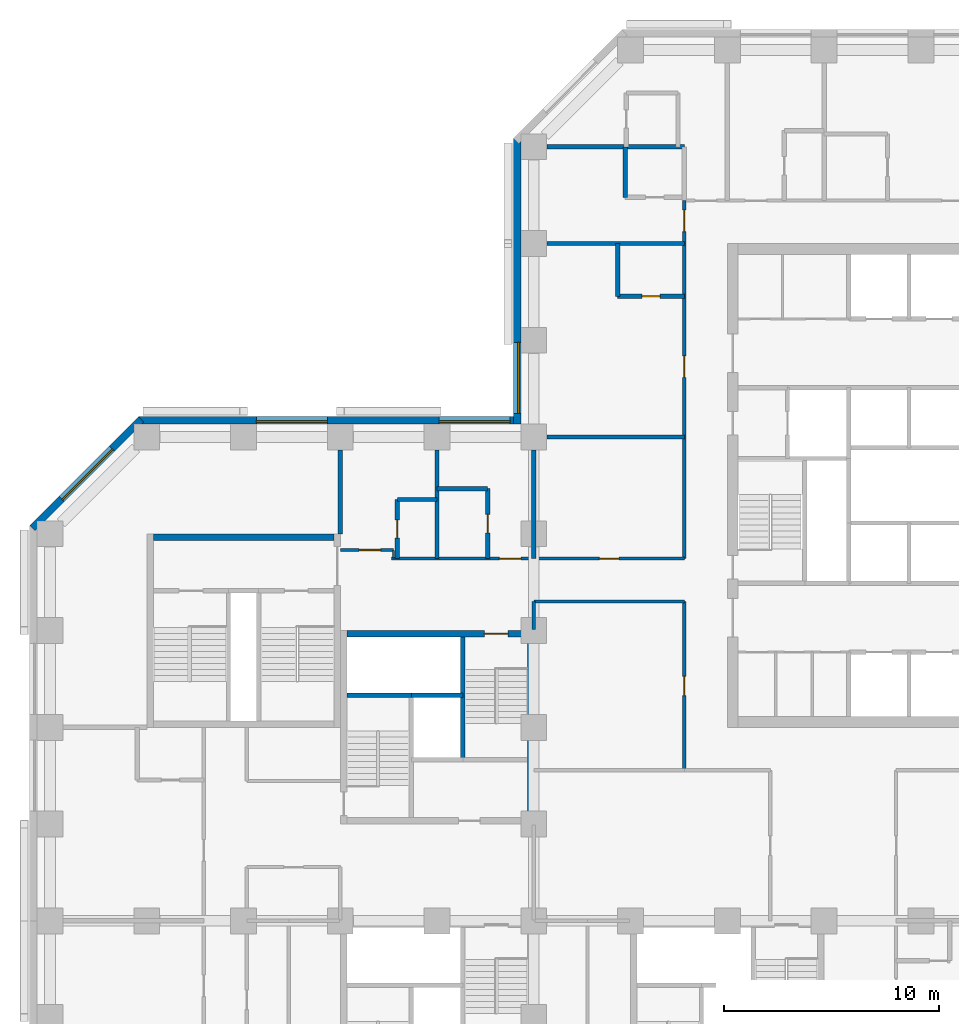
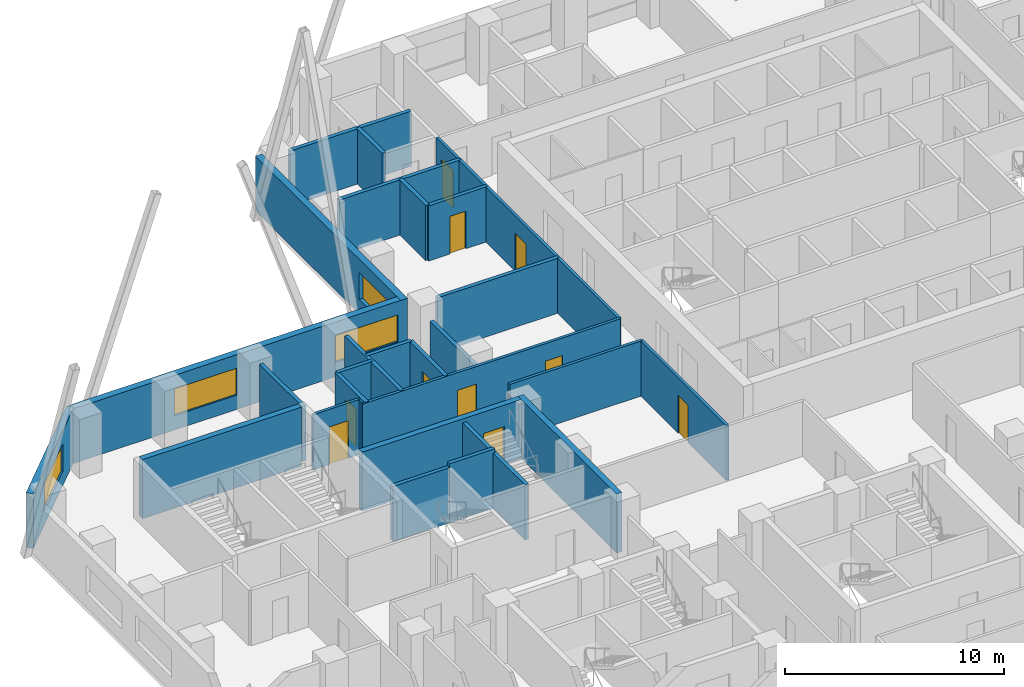
# One storey, part 7 of 13: 29 walls, 10 doors, 4 windows, 14 openings.
"""IFC4 building model written with IfcOpenShell, lengths in metres."""

import ifcopenshell
import ifcopenshell.guid

model = None  # the IFC model being written
_history = None  # IfcOwnerHistory: only IFC2X3 demands one
_inside = {}  # id of a spatial element -> (the spatial element, [elements in it])
_under = {}  # id of a project, library or spatial element -> (it, [spatial elements below it])
_declared = {}  # id of a project -> (the project, [libraries it declares])
_typed = {}  # id of a type object -> (the type object, [elements of that type])
_made_of = {}  # id of a material, layer set ... -> (it, [elements and type objects made of it])


def new_model(schema):
    """Start an empty IFC model of exactly this schema.

    Asked for "IFC4X3", IfcOpenShell would pick the latest addendum, in which some entities
    have other attributes; the version numbers below select the first issue.
    IFC2X3 requires an IfcOwnerHistory on every rooted entity: one is made here for all.
    """
    global model, _history
    if schema == "IFC4X3":
        model = ifcopenshell.file(schema_version=(4, 3, 0, 0))
    else:
        model = ifcopenshell.file(schema=schema)
    _inside.clear()
    _under.clear()
    _declared.clear()
    _typed.clear()
    _made_of.clear()
    _history = None
    if model.schema == "IFC2X3":
        org = make("IfcOrganization", Name="unknown")
        user = make(
            "IfcPersonAndOrganization",
            ThePerson=make("IfcPerson", FamilyName="unknown"),
            TheOrganization=org,
        )
        app = make(
            "IfcApplication",
            ApplicationDeveloper=org,
            Version="unknown",
            ApplicationFullName="unknown",
            ApplicationIdentifier="unknown",
        )
        _history = make(
            "IfcOwnerHistory",
            OwningUser=user,
            OwningApplication=app,
            ChangeAction="ADDED",
            CreationDate=0,
        )
    return model


def make(cls, **values):
    """One entity of the class cls with the attributes given. An attribute that is None is left unset."""
    return model.create_entity(
        cls, **{name: value for name, value in values.items() if value is not None}
    )


def rooted(cls, **values):
    """An entity with a GlobalId (a new one), such as an element, a storey or a relation."""
    return make(cls, GlobalId=ifcopenshell.guid.new(), OwnerHistory=_history, **values)


def si_unit(unit_type, name, prefix=None):
    """IfcSIUnit, for example si_unit("LENGTHUNIT", "METRE", prefix="MILLI")."""
    return make("IfcSIUnit", UnitType=unit_type, Prefix=prefix, Name=name)


def assignment(units):
    """IfcUnitAssignment: the units of a project."""
    return None if units is None else make("IfcUnitAssignment", Units=units)


def point(xyz):
    """IfcCartesianPoint."""
    return None if xyz is None else make("IfcCartesianPoint", Coordinates=xyz)


def direction(xyz):
    """IfcDirection."""
    return None if xyz is None else make("IfcDirection", DirectionRatios=xyz)


def frame(location, z_axis=None, x_axis=None):
    """IfcAxis2Placement3D, a coordinate frame: its origin and axes. An axis left out is left unset."""
    return make(
        "IfcAxis2Placement3D",
        Location=point(location),
        Axis=direction(z_axis),
        RefDirection=direction(x_axis),
    )


def frame_2d(location, x_axis=None):
    """IfcAxis2Placement2D, a coordinate frame in the plane: its origin and x axis."""
    return make(
        "IfcAxis2Placement2D", Location=point(location), RefDirection=direction(x_axis)
    )


def origin():
    """The frame at (0, 0, 0) with its axes left unset."""
    return frame((0.0, 0.0, 0.0))


def place(relative_to, where):
    """IfcLocalPlacement: puts the frame where relative to a parent placement (None: the world)."""
    return make(
        "IfcLocalPlacement", PlacementRelTo=relative_to, RelativePlacement=where
    )


def context(
    kind, dimensions, precision=None, world=None, true_north=None, identifier=None
):
    """IfcGeometricRepresentationContext, for example the 3D "Model" context."""
    return make(
        "IfcGeometricRepresentationContext",
        ContextIdentifier=identifier,
        ContextType=kind,
        CoordinateSpaceDimension=dimensions,
        Precision=precision,
        WorldCoordinateSystem=world,
        TrueNorth=true_north,
    )


def subcontext(parent, identifier, kind, view, scale=None):
    """IfcGeometricRepresentationSubContext, for example "Body" below "Model"."""
    return make(
        "IfcGeometricRepresentationSubContext",
        ContextIdentifier=identifier,
        ContextType=kind,
        ParentContext=parent,
        TargetScale=scale,
        TargetView=view,
    )


def project(units=None, contexts=None):
    """IfcProject with its units and contexts."""
    return rooted(
        "IfcProject",
        Name="project",
        RepresentationContexts=contexts,
        UnitsInContext=assignment(units),
    )


def spatial(cls, under=None, at=None, **own):
    """A site, building, storey or space (cls), placed at a placement, below another one or the project."""
    s = rooted(cls, ObjectPlacement=at, **own)
    if under is not None:
        _under.setdefault(under.id(), (under, []))[1].append(s)
    return s


def profile(cls, at=None, kind="AREA", **sizes):
    """A parametric profile (cls). Its sizes go by their IFC names, for example OverallWidth=200.0."""
    return make(cls, ProfileType=kind, Position=at, **sizes)


def rectangle(**sizes):
    """IfcRectangleProfileDef."""
    return profile("IfcRectangleProfileDef", **sizes)


def extrude(swept, where, along, depth):
    """IfcExtrudedAreaSolid: the profile swept, set in the frame where, extruded along a direction by depth."""
    return make(
        "IfcExtrudedAreaSolid",
        SweptArea=swept,
        Position=where,
        ExtrudedDirection=direction(along),
        Depth=depth,
    )


def shape(context_of_items, identifier, shape_type, items):
    """IfcShapeRepresentation: the items that make up one representation, for example the "Body"."""
    return make(
        "IfcShapeRepresentation",
        ContextOfItems=context_of_items,
        RepresentationIdentifier=identifier,
        RepresentationType=shape_type,
        Items=items,
    )


def material(Name=None, Category=None):
    """IfcMaterial."""
    return make("IfcMaterial", Name=Name, Category=Category)


def layer(
    of_material, thickness, ventilated=None, Name=None, Category=None, Priority=None
):
    """IfcMaterialLayer: one layer of a wall or slab, of a material (None: an air gap)."""
    return make(
        "IfcMaterialLayer",
        Material=of_material,
        LayerThickness=thickness,
        IsVentilated=ventilated,
        Name=Name,
        Category=Category,
        Priority=Priority,
    )


def layer_set(layers, Name=None):
    """IfcMaterialLayerSet."""
    return make("IfcMaterialLayerSet", MaterialLayers=layers, LayerSetName=Name)


def constituent(of_material, Name=None, Category=None, fraction=None):
    """IfcMaterialConstituent: one of the materials an element consists of."""
    return make(
        "IfcMaterialConstituent",
        Name=Name,
        Material=of_material,
        Fraction=fraction,
        Category=Category,
    )


def constituent_set(constituents=None, Name=None):
    """IfcMaterialConstituentSet."""
    return make(
        "IfcMaterialConstituentSet", Name=Name, MaterialConstituents=constituents
    )


def made_of(thing, what):
    """Note that an element or type object is made of a material, layer set ...; save() writes the relation."""
    if what is not None:
        _made_of.setdefault(what.id(), (what, []))[1].append(thing)
    return thing


def type_object(cls, material=None, **own):
    """A type object (cls), such as IfcWallType, which elements share."""
    return made_of(rooted(cls, **own), material)


def element(
    cls,
    number,
    at=None,
    inside=None,
    cuts=None,
    type_object=None,
    material=None,
    context=None,
    identifier="Body",
    shape_type=None,
    held_by="IfcProductDefinitionShape",
    body=None,
    shapes=None,
    **own,
):
    """One element of the class cls, such as IfcWall. Its Tag is "e" and its number.

    at: its placement. inside: the storey or other place that contains it. cuts: it is an
    opening in that element (IfcRelVoidsElement). A single representation is given by context,
    identifier, shape_type and body (its items); several are given by shapes. held_by: the class
    of the entity that holds the representations. save() writes the other relations.
    """
    e = rooted(cls, Tag="e%d" % number, ObjectPlacement=at, **own)
    if body is not None:
        shapes = [shape(context, identifier, shape_type, body)]
    if shapes is not None:
        e.Representation = make(held_by, Representations=shapes)
    if inside is not None:
        _inside.setdefault(inside.id(), (inside, []))[1].append(e)
    if cuts is not None:
        rooted(
            "IfcRelVoidsElement", RelatingBuildingElement=cuts, RelatedOpeningElement=e
        )
    if type_object is not None:
        _typed.setdefault(type_object.id(), (type_object, []))[1].append(e)
    return made_of(e, material)


def fill(opening, filler):
    """IfcRelFillsElement: the door or window that sits in an opening."""
    return rooted(
        "IfcRelFillsElement",
        RelatingOpeningElement=opening,
        RelatedBuildingElement=filler,
    )


def aggregate(whole, parts):
    """IfcRelAggregates: a whole, such as a stair, and the parts it consists of."""
    return rooted("IfcRelAggregates", RelatingObject=whole, RelatedObjects=parts)


def save(model, path):
    """Write the relations noted so far, then the file.

    IfcRelAggregates (storeys below a building ...), IfcRelContainedInSpatialStructure (elements
    in a storey), IfcRelDefinesByType, IfcRelAssociatesMaterial and IfcRelDeclares: one each for
    every whole, place, type object, material and project.
    """
    for whole, parts in _under.values():
        aggregate(whole, parts)
    for where, things in _inside.values():
        rooted(
            "IfcRelContainedInSpatialStructure",
            RelatedElements=things,
            RelatingStructure=where,
        )
    for kind, things in _typed.values():
        rooted("IfcRelDefinesByType", RelatedObjects=things, RelatingType=kind)
    for what, things in _made_of.values():
        rooted("IfcRelAssociatesMaterial", RelatedObjects=things, RelatingMaterial=what)
    for by, libraries in _declared.values():
        rooted("IfcRelDeclares", RelatingContext=by, RelatedDefinitions=libraries)
    model.write(path)


model = new_model("IFC4")

# Units and contexts
model_context = context("Model", 3, precision=1e-05, world=origin(), true_north=direction((0.0, 1.0)))
body_context = subcontext(model_context, "Body", "Model", "MODEL_VIEW")
ifc_project = project(units=[si_unit("LENGTHUNIT", "METRE"), si_unit("AREAUNIT", "SQUARE_METRE"), si_unit("VOLUMEUNIT", "CUBIC_METRE"), si_unit("PLANEANGLEUNIT", "RADIAN"), si_unit("MASSUNIT", "GRAM", prefix="KILO")], contexts=[model_context])

# Site, building, storey
site_placement = place(None, origin())
site = spatial("IfcSite", under=ifc_project, at=site_placement, CompositionType="ELEMENT")
building_placement = place(site_placement, origin())
building = spatial("IfcBuilding", under=site, at=building_placement, Name="Quoin Convention Tower", CompositionType="ELEMENT")
storey_placement = place(building_placement, frame((0.0, 0.0, 39.60009765625)))
storey = spatial("IfcBuildingStorey", under=building, at=storey_placement, Name="L09", CompositionType="ELEMENT", Elevation=39.60009765625)

# Wall, opening, window
ifc_material_1 = material(Name="Brick masonry", Category="masonry")
ifc_layer_1 = layer(ifc_material_1, 0.35009765625)
ifc_layer_set_1 = layer_set([ifc_layer_1], Name="Brick masonry")
wall_type_1 = type_object("IfcWallType", Name="Brick facade wall", PredefinedType="STANDARD", material=ifc_layer_set_1)
wall_1_placement = place(storey_placement, frame((35.22509765625, 76.8935546875, 0.0), z_axis=(0.0, 0.0, 1.0), x_axis=(0.0, -1.0, 0.0)))
wall_1 = element("IfcWall", 1, at=wall_1_placement, inside=storey, type_object=wall_type_1, Name="fw-L09-36000_76500", PredefinedType="STANDARD", context=body_context, shape_type="SweptSolid", body=[
    extrude(rectangle(XDim=13.29345703125, YDim=0.35009765625, at=frame_2d((6.646728515625, 0.0))), origin(), (0.0, 0.0, 1.0), 3.054931640625),
])
opening_1_placement = place(wall_1_placement, frame((9.493408203125, 0.0, 0.800048828125)))
opening_1 = element("IfcOpeningElement", 2, at=opening_1_placement, cuts=wall_1, Name="Opening W-01", PredefinedType="OPENING", context=body_context, shape_type="SweptSolid", body=[
    extrude(rectangle(XDim=3.300048828125, YDim=1.5, at=frame_2d((1.64990234375, 0.75))), frame((0.0, 0.18505859375, 0.0), z_axis=(0.0, -1.0, 0.0), x_axis=(1.0, 0.0, 0.0)), (0.0, 0.0, 1.0), 0.3701171875),
])
ifc_material_2 = material(Name="Aluminium", Category="aluminium")
ifc_constituent_1 = constituent(ifc_material_2, Name="Frame")
ifc_material_3 = material(Name="Insulated glass", Category="glass")
ifc_constituent_2 = constituent(ifc_material_3, Name="Glazing")
ifc_constituent_set = constituent_set(constituents=[ifc_constituent_1, ifc_constituent_2], Name="Aluminium")
window_type = type_object("IfcWindowType", Name="Hotel strip window", PartitioningType="DOUBLE_PANEL_VERTICAL", PredefinedType="WINDOW", material=ifc_constituent_set)
window_1_placement = place(opening_1_placement, origin())
window_1 = element("IfcWindow", 3, at=window_1_placement, inside=storey, type_object=window_type, Name="win-L09-35225_65250", OverallHeight=1.5, OverallWidth=3.300048828125, PartitioningType="SINGLE_PANEL", PredefinedType="WINDOW", context=body_context, shape_type="SweptSolid", body=[
    extrude(rectangle(XDim=3.300048828125, YDim=1.5, at=frame_2d((1.64990234375, 0.75))), frame((0.0, 0.0849609375, 0.0), z_axis=(0.0, -1.0, 0.0), x_axis=(1.0, 0.0, 0.0)), (0.0, 0.0, 1.0), 0.06005859375),
])
fill(opening_1, window_1)

# Wall, openings, windows
wall_2_placement = place(storey_placement, frame((35.39990234375, 63.77490234375, 0.0), z_axis=(0.0, 0.0, 1.0), x_axis=(-1.0, 0.0, 0.0)))
wall_2 = element("IfcWall", 4, at=wall_2_placement, inside=storey, type_object=wall_type_1, Name="fw-L09-36000_63000", PredefinedType="STANDARD", context=body_context, shape_type="SweptSolid", body=[
    extrude(rectangle(XDim=17.79345703125, YDim=0.35009765625, at=frame_2d((8.896728515625, 0.0))), origin(), (0.0, 0.0, 1.0), 3.054931640625),
])
opening_2_placement = place(wall_2_placement, frame((0.5, 0.0, 0.800048828125)))
opening_2 = element("IfcOpeningElement", 5, at=opening_2_placement, cuts=wall_2, Name="Opening W-01", PredefinedType="OPENING", context=body_context, shape_type="SweptSolid", body=[
    extrude(rectangle(XDim=3.300048828125, YDim=1.5, at=frame_2d((1.64990234375, 0.75))), frame((0.0, 0.18505859375, 0.0), z_axis=(0.0, -1.0, 0.0), x_axis=(1.0, 0.0, 0.0)), (0.0, 0.0, 1.0), 0.3701171875),
])
opening_3_placement = place(wall_2_placement, frame((9.0, 0.0, 0.800048828125)))
opening_3 = element("IfcOpeningElement", 6, at=opening_3_placement, cuts=wall_2, Name="Opening W-01", PredefinedType="OPENING", context=body_context, shape_type="SweptSolid", body=[
    extrude(rectangle(XDim=3.300048828125, YDim=1.5, at=frame_2d((1.64990234375, 0.75))), frame((0.0, 0.18505859375, 0.0), z_axis=(0.0, -1.0, 0.0), x_axis=(1.0, 0.0, 0.0)), (0.0, 0.0, 1.0), 0.3701171875),
])
window_2_placement = place(opening_2_placement, origin())
window_2 = element("IfcWindow", 7, at=window_2_placement, inside=storey, type_object=window_type, Name="win-L09-33750_63775", OverallHeight=1.5, OverallWidth=3.300048828125, PartitioningType="SINGLE_PANEL", PredefinedType="WINDOW", context=body_context, shape_type="SweptSolid", body=[
    extrude(rectangle(XDim=3.300048828125, YDim=1.5, at=frame_2d((1.64990234375, 0.75))), frame((0.0, 0.0849609375, 0.0), z_axis=(0.0, -1.0, 0.0), x_axis=(1.0, 0.0, 0.0)), (0.0, 0.0, 1.0), 0.06005859375),
])
fill(opening_2, window_2)
window_3_placement = place(opening_3_placement, origin())
window_3 = element("IfcWindow", 8, at=window_3_placement, inside=storey, type_object=window_type, Name="win-L09-24750_63775", OverallHeight=1.5, OverallWidth=3.300048828125, PartitioningType="SINGLE_PANEL", PredefinedType="WINDOW", context=body_context, shape_type="SweptSolid", body=[
    extrude(rectangle(XDim=3.300048828125, YDim=1.5, at=frame_2d((1.64990234375, 0.75))), frame((0.0, 0.0849609375, 0.0), z_axis=(0.0, -1.0, 0.0), x_axis=(1.0, 0.0, 0.0)), (0.0, 0.0, 1.0), 0.06005859375),
])
fill(opening_3, window_3)

# Wall, opening, window
wall_3_placement = place(storey_placement, frame((17.730224609375, 63.826416015625, 0.0), z_axis=(0.0, 0.0, 1.0), x_axis=(-0.707106781187, -0.707106781187, 0.0)))
wall_3 = element("IfcWall", 9, at=wall_3_placement, inside=storey, type_object=wall_type_1, Name="fw-L09-18000_63000", PredefinedType="STANDARD", context=body_context, shape_type="SweptSolid", body=[
    extrude(rectangle(XDim=7.151123046875, YDim=0.35009765625, at=frame_2d((3.57568359375, 0.0))), origin(), (0.0, 0.0, 1.0), 3.054931640625),
])
opening_4_placement = place(wall_3_placement, frame((1.925537109375, 0.0, 0.800048828125)))
opening_4 = element("IfcOpeningElement", 10, at=opening_4_placement, cuts=wall_3, Name="Opening W-01", PredefinedType="OPENING", context=body_context, shape_type="SweptSolid", body=[
    extrude(rectangle(XDim=3.300048828125, YDim=1.5, at=frame_2d((1.64990234375, 0.75))), frame((0.0, 0.18505859375, 0.0), z_axis=(0.0, -1.0, 0.0), x_axis=(1.0, 0.0, 0.0)), (0.0, 0.0, 1.0), 0.3701171875),
])
window_4_placement = place(opening_4_placement, origin())
window_4 = element("IfcWindow", 11, at=window_4_placement, inside=storey, type_object=window_type, Name="win-L09-15202_61298", OverallHeight=1.5, OverallWidth=3.300048828125, PartitioningType="SINGLE_PANEL", PredefinedType="WINDOW", context=body_context, shape_type="SweptSolid", body=[
    extrude(rectangle(XDim=3.300048828125, YDim=1.5, at=frame_2d((1.64990234375, 0.75))), frame((0.0, 0.0849609375, 0.0), z_axis=(0.0, -1.0, 0.0), x_axis=(1.0, 0.0, 0.0)), (0.0, 0.0, 1.0), 0.06005859375),
])
fill(opening_4, window_4)

# Walls
ifc_material_4 = material(Name="Concrete C50", Category="concrete")
ifc_layer_2 = layer(ifc_material_4, 0.199951171875)
ifc_layer_set_2 = layer_set([ifc_layer_2], Name="Concrete C50")
wall_type_2 = type_object("IfcWallType", Name="Core shaft wall", PredefinedType="SOLIDWALL", material=ifc_layer_set_2)
wall_4_placement = place(storey_placement, frame((27.300048828125, 51.0, 0.0), z_axis=(0.0, 0.0, 1.0), x_axis=(1.0, 0.0, 0.0)))
element("IfcWall", 12, at=wall_4_placement, inside=storey, type_object=wall_type_2, Name="cr-P2-L09-h6000_300", PredefinedType="SOLIDWALL", context=body_context, shape_type="SweptSolid", body=[
    extrude(rectangle(XDim=3.0, YDim=0.199951171875, at=frame_2d((1.5, 0.0))), origin(), (0.0, 0.0, 1.0), 3.079833984375),
])
wall_5_placement = place(storey_placement, frame((32.699951171875, 48.0, 0.0), z_axis=(0.0, 0.0, 1.0), x_axis=(0.0, 1.0, 0.0)))
element("IfcWall", 13, at=wall_5_placement, inside=storey, type_object=wall_type_2, Name="cr-P2-L09-v5700_3000", PredefinedType="SOLIDWALL", context=body_context, shape_type="SweptSolid", body=[
    extrude(rectangle(XDim=5.699951171875, YDim=0.199951171875, at=frame_2d((2.85009765625, 0.0))), origin(), (0.0, 0.0, 1.0), 3.079833984375),
])
ifc_layer_3 = layer(ifc_material_4, 0.199951171875)
ifc_layer_set_3 = layer_set([ifc_layer_3], Name="Concrete C50")
wall_type_3 = type_object("IfcWallType", Name="Core shaft wall to the floor level over", PredefinedType="SOLIDWALL", material=ifc_layer_set_3)
wall_6_placement = place(storey_placement, frame((30.300048828125, 51.0, 0.0), z_axis=(0.0, 0.0, 1.0), x_axis=(1.0, 0.0, 0.0)))
element("IfcWall", 14, at=wall_6_placement, inside=storey, type_object=wall_type_3, Name="cr-P2-L09-h6000_3300", PredefinedType="SOLIDWALL", context=body_context, shape_type="SweptSolid", body=[
    extrude(rectangle(XDim=2.39990234375, YDim=0.199951171875, at=frame_2d((1.199951171875, 0.0))), origin(), (0.0, 0.0, 1.0), 3.2998046875),
])

# Wall, opening, door
ifc_material_5 = material(Name="Concrete C80", Category="concrete")
ifc_layer_4 = layer(ifc_material_5, 0.300048828125)
ifc_layer_set_4 = layer_set([ifc_layer_4], Name="Concrete C80")
wall_type_4 = type_object("IfcWallType", Name="RC CORE WALL 300 C80", PredefinedType="SHEAR", material=ifc_layer_set_4)
wall_7_placement = place(storey_placement, frame((27.300048828125, 53.85009765625, 0.0), z_axis=(0.0, 0.0, 1.0), x_axis=(1.0, 0.0, 0.0)))
wall_7 = element("IfcWall", 15, at=wall_7_placement, inside=storey, type_object=wall_type_4, Name="cwl-P2-L09-N", PredefinedType="SHEAR", context=body_context, shape_type="SweptSolid", body=[
    extrude(rectangle(XDim=8.39990234375, YDim=0.300048828125, at=frame_2d((4.199951171875, 0.0))), origin(), (0.0, 0.0, 1.0), 3.2998046875),
])
opening_5_placement = place(wall_7_placement, frame((6.39990234375, 0.0, 0.0)))
opening_5 = element("IfcOpeningElement", 16, at=opening_5_placement, cuts=wall_7, Name="Opening SD4", PredefinedType="OPENING", context=body_context, shape_type="SweptSolid", body=[
    extrude(rectangle(XDim=1.10009765625, YDim=2.10009765625, at=frame_2d((0.550048828125, 1.050048828125))), frame((0.0, 0.159912109375, 0.0), z_axis=(0.0, -1.0, 0.0), x_axis=(1.0, 0.0, 0.0)), (0.0, 0.0, 1.0), 0.320068359375),
])
ifc_material_6 = material(Name="Steel door leaf", Category="steel")
door_type_1 = type_object("IfcDoorType", Name="Stair door 1100 x 2100", OperationType="SINGLE_SWING_RIGHT", PredefinedType="DOOR", material=ifc_material_6)
door_1_placement = place(opening_5_placement, frame((1.10009765625, 0.0, 0.0), z_axis=(0.0, 0.0, 1.0), x_axis=(-1.0, 0.0, 0.0)))
door_1 = element("IfcDoor", 17, at=door_1_placement, inside=storey, type_object=door_type_1, Name="cd-P2-L09-SB-N", OperationType="SINGLE_SWING_LEFT", OverallHeight=2.10009765625, OverallWidth=1.10009765625, PredefinedType="DOOR", context=body_context, shape_type="SweptSolid", body=[
    extrude(rectangle(XDim=1.10009765625, YDim=2.10009765625, at=frame_2d((0.550048828125, 1.050048828125))), frame((0.0, 0.02490234375, 0.0), z_axis=(0.0, -1.0, 0.0), x_axis=(1.0, 0.0, 0.0)), (0.0, 0.0, 1.0), 0.050048828125),
])
fill(opening_5, door_1)

# Walls
wall_8_placement = place(storey_placement, frame((35.85009765625, 45.0, 0.0), z_axis=(0.0, 0.0, 1.0), x_axis=(0.0, 1.0, 0.0)))
element("IfcWall", 18, at=wall_8_placement, inside=storey, type_object=wall_type_4, Name="cwl-P2-L09-E", PredefinedType="SHEAR", context=body_context, shape_type="SweptSolid", body=[
    extrude(rectangle(XDim=9.0, YDim=0.300048828125, at=frame_2d((4.5, 0.0))), origin(), (0.0, 0.0, 1.0), 3.2998046875),
])
wall_9_placement = place(storey_placement, frame((18.300048828125, 58.35009765625, 0.0), z_axis=(0.0, 0.0, 1.0), x_axis=(1.0, 0.0, 0.0)))
element("IfcWall", 19, at=wall_9_placement, inside=storey, type_object=wall_type_4, Name="cwl-P6-L09-N", PredefinedType="SHEAR", context=body_context, shape_type="SweptSolid", body=[
    extrude(rectangle(XDim=8.39990234375, YDim=0.300048828125, at=frame_2d((4.199951171875, 0.0))), origin(), (0.0, 0.0, 1.0), 3.2998046875),
])
ifc_layer_5 = layer(ifc_material_4, 0.199951171875)
ifc_layer_set_5 = layer_set([ifc_layer_5], Name="Concrete C50")
wall_type_5 = type_object("IfcWallType", Name="RC party wall", PredefinedType="SOLIDWALL", material=ifc_layer_set_5)
wall_10_placement = place(storey_placement, frame((27.0, 58.5, 0.0), z_axis=(0.0, 0.0, 1.0), x_axis=(0.0, 1.0, 0.0)))
element("IfcWall", 20, at=wall_10_placement, inside=storey, type_object=wall_type_5, Name="pw-L09-097", PredefinedType="SOLIDWALL", context=body_context, shape_type="SweptSolid", body=[
    extrude(rectangle(XDim=3.89990234375, YDim=0.199951171875, at=frame_2d((1.949951171875, 0.0))), origin(), (0.0, 0.0, 1.0), 3.079833984375),
])

# Wall, opening, door
wall_11_placement = place(storey_placement, frame((29.64990234375, 57.35009765625, 0.0), z_axis=(0.0, 0.0, 1.0), x_axis=(0.0, 1.0, 0.0)))
wall_11 = element("IfcWall", 21, at=wall_11_placement, inside=storey, type_object=wall_type_5, Name="pw-L09-098", PredefinedType="SOLIDWALL", context=body_context, shape_type="SweptSolid", body=[
    extrude(rectangle(XDim=2.75, YDim=0.199951171875, at=frame_2d((1.375, 0.0))), origin(), (0.0, 0.0, 1.0), 3.079833984375),
])
opening_6_placement = place(wall_11_placement, frame((0.949951171875, 0.0, 0.0)))
opening_6 = element("IfcOpeningElement", 22, at=opening_6_placement, cuts=wall_11, Name="Opening DHOTEL-E-52", PredefinedType="OPENING", context=body_context, shape_type="SweptSolid", body=[
    extrude(rectangle(XDim=0.85009765625, YDim=2.10009765625, at=frame_2d((0.425048828125, 1.050048828125))), frame((0.0, 0.10986328125, 0.0), z_axis=(0.0, -1.0, 0.0), x_axis=(1.0, 0.0, 0.0)), (0.0, 0.0, 1.0), 0.219970703125),
])
door_type_2 = type_object("IfcDoorType", Name="Bathroom door", OperationType="SINGLE_SWING_LEFT", PredefinedType="DOOR", material=ifc_material_6)
door_2_placement = place(opening_6_placement, frame((0.85009765625, 0.0, 0.0), z_axis=(0.0, 0.0, 1.0), x_axis=(-1.0, 0.0, 0.0)))
door_2 = element("IfcDoor", 23, at=door_2_placement, inside=storey, type_object=door_type_2, Name="dr-L09-024", OperationType="SINGLE_SWING_LEFT", OverallHeight=2.10009765625, OverallWidth=0.85009765625, PredefinedType="DOOR", context=body_context, shape_type="SweptSolid", body=[
    extrude(rectangle(XDim=0.85009765625, YDim=2.10009765625, at=frame_2d((0.425048828125, 1.050048828125))), frame((0.0, 0.02490234375, 0.0), z_axis=(0.0, -1.0, 0.0), x_axis=(1.0, 0.0, 0.0)), (0.0, 0.0, 1.0), 0.050048828125),
])
fill(opening_6, door_2)

# Wall
wall_12_placement = place(storey_placement, frame((31.5, 57.35009765625, 0.0), z_axis=(0.0, 0.0, 1.0), x_axis=(0.0, 1.0, 0.0)))
element("IfcWall", 24, at=wall_12_placement, inside=storey, type_object=wall_type_5, Name="pw-L09-099", PredefinedType="SOLIDWALL", context=body_context, shape_type="SweptSolid", body=[
    extrude(rectangle(XDim=5.0498046875, YDim=0.199951171875, at=frame_2d((2.52490234375, 0.0))), origin(), (0.0, 0.0, 1.0), 3.079833984375),
])

# Wall, opening, door
wall_13_placement = place(storey_placement, frame((33.85009765625, 57.35009765625, 0.0), z_axis=(0.0, 0.0, 1.0), x_axis=(0.0, 1.0, 0.0)))
wall_13 = element("IfcWall", 25, at=wall_13_placement, inside=storey, type_object=wall_type_5, Name="pw-L09-100", PredefinedType="SOLIDWALL", context=body_context, shape_type="SweptSolid", body=[
    extrude(rectangle(XDim=3.25, YDim=0.199951171875, at=frame_2d((1.625, 0.0))), origin(), (0.0, 0.0, 1.0), 3.079833984375),
])
opening_7_placement = place(wall_13_placement, frame((1.199951171875, 0.0, 0.0)))
opening_7 = element("IfcOpeningElement", 26, at=opening_7_placement, cuts=wall_13, Name="Opening DHOTEL-E-53", PredefinedType="OPENING", context=body_context, shape_type="SweptSolid", body=[
    extrude(rectangle(XDim=0.85009765625, YDim=2.10009765625, at=frame_2d((0.425048828125, 1.050048828125))), frame((0.0, 0.10986328125, 0.0), z_axis=(0.0, -1.0, 0.0), x_axis=(1.0, 0.0, 0.0)), (0.0, 0.0, 1.0), 0.219970703125),
])
door_3_placement = place(opening_7_placement, frame((0.85009765625, 0.0, 0.0), z_axis=(0.0, 0.0, 1.0), x_axis=(-1.0, 0.0, 0.0)))
door_3 = element("IfcDoor", 27, at=door_3_placement, inside=storey, type_object=door_type_2, Name="dr-L09-022", OperationType="SINGLE_SWING_RIGHT", OverallHeight=2.10009765625, OverallWidth=0.85009765625, PredefinedType="DOOR", context=body_context, shape_type="SweptSolid", body=[
    extrude(rectangle(XDim=0.85009765625, YDim=2.10009765625, at=frame_2d((0.425048828125, 1.050048828125))), frame((0.0, 0.02490234375, 0.0), z_axis=(0.0, -1.0, 0.0), x_axis=(1.0, 0.0, 0.0)), (0.0, 0.0, 1.0), 0.050048828125),
])
fill(opening_7, door_3)

# Walls
wall_14_placement = place(storey_placement, frame((29.64990234375, 60.10009765625, 0.0), z_axis=(0.0, 0.0, 1.0), x_axis=(1.0, 0.0, 0.0)))
element("IfcWall", 28, at=wall_14_placement, inside=storey, type_object=wall_type_5, Name="pw-L09-106", PredefinedType="SOLIDWALL", context=body_context, shape_type="SweptSolid", body=[
    extrude(rectangle(XDim=1.85009765625, YDim=0.199951171875, at=frame_2d((0.925048828125, 0.0))), origin(), (0.0, 0.0, 1.0), 3.079833984375),
])
wall_15_placement = place(storey_placement, frame((31.5, 60.60009765625, 0.0), z_axis=(0.0, 0.0, 1.0), x_axis=(1.0, 0.0, 0.0)))
element("IfcWall", 29, at=wall_15_placement, inside=storey, type_object=wall_type_5, Name="pw-L09-107", PredefinedType="SOLIDWALL", context=body_context, shape_type="SweptSolid", body=[
    extrude(rectangle(XDim=2.35009765625, YDim=0.199951171875, at=frame_2d((1.175048828125, 0.0))), origin(), (0.0, 0.0, 1.0), 3.079833984375),
])

# Wall, opening, door
wall_16_placement = place(storey_placement, frame((39.89990234375, 69.550048828125, 0.0), z_axis=(0.0, 0.0, 1.0), x_axis=(1.0, 0.0, 0.0)))
wall_16 = element("IfcWall", 30, at=wall_16_placement, inside=storey, type_object=wall_type_5, Name="pw-L09-113", PredefinedType="SOLIDWALL", context=body_context, shape_type="SweptSolid", body=[
    extrude(rectangle(XDim=3.10009765625, YDim=0.199951171875, at=frame_2d((1.550048828125, 0.0))), origin(), (0.0, 0.0, 1.0), 3.079833984375),
])
opening_8_placement = place(wall_16_placement, frame((1.125, 0.0, 0.0)))
opening_8 = element("IfcOpeningElement", 31, at=opening_8_placement, cuts=wall_16, Name="Opening DHOTEL-E-55", PredefinedType="OPENING", context=body_context, shape_type="SweptSolid", body=[
    extrude(rectangle(XDim=0.85009765625, YDim=2.10009765625, at=frame_2d((0.425048828125, 1.050048828125))), frame((0.0, 0.10986328125, 0.0), z_axis=(0.0, -1.0, 0.0), x_axis=(1.0, 0.0, 0.0)), (0.0, 0.0, 1.0), 0.219970703125),
])
door_4_placement = place(opening_8_placement, frame((0.85009765625, 0.0, 0.0), z_axis=(0.0, 0.0, 1.0), x_axis=(-1.0, 0.0, 0.0)))
door_4 = element("IfcDoor", 32, at=door_4_placement, inside=storey, type_object=door_type_2, Name="dr-L09-028", OperationType="SINGLE_SWING_LEFT", OverallHeight=2.10009765625, OverallWidth=0.85009765625, PredefinedType="DOOR", context=body_context, shape_type="SweptSolid", body=[
    extrude(rectangle(XDim=0.85009765625, YDim=2.10009765625, at=frame_2d((0.425048828125, 1.050048828125))), frame((0.0, 0.02490234375, 0.0), z_axis=(0.0, -1.0, 0.0), x_axis=(1.0, 0.0, 0.0)), (0.0, 0.0, 1.0), 0.050048828125),
])
fill(opening_8, door_4)

# Walls
wall_17_placement = place(storey_placement, frame((39.89990234375, 69.550048828125, 0.0), z_axis=(0.0, 0.0, 1.0), x_axis=(0.0, 1.0, 0.0)))
element("IfcWall", 33, at=wall_17_placement, inside=storey, type_object=wall_type_5, Name="pw-L09-114", PredefinedType="SOLIDWALL", context=body_context, shape_type="SweptSolid", body=[
    extrude(rectangle(XDim=2.449951171875, YDim=0.199951171875, at=frame_2d((1.22509765625, 0.0))), origin(), (0.0, 0.0, 1.0), 3.079833984375),
])
wall_18_placement = place(storey_placement, frame((36.60009765625, 72.0, 0.0), z_axis=(0.0, 0.0, 1.0), x_axis=(1.0, 0.0, 0.0)))
element("IfcWall", 34, at=wall_18_placement, inside=storey, type_object=wall_type_5, Name="pw-L09-116", PredefinedType="SOLIDWALL", context=body_context, shape_type="SweptSolid", body=[
    extrude(rectangle(XDim=6.39990234375, YDim=0.199951171875, at=frame_2d((3.199951171875, 0.0))), origin(), (0.0, 0.0, 1.0), 3.079833984375),
])
wall_19_placement = place(storey_placement, frame((40.25, 74.14990234375, 0.0), z_axis=(0.0, 0.0, 1.0), x_axis=(0.0, 1.0, 0.0)))
element("IfcWall", 35, at=wall_19_placement, inside=storey, type_object=wall_type_5, Name="pw-L09-127", PredefinedType="SOLIDWALL", context=body_context, shape_type="SweptSolid", body=[
    extrude(rectangle(XDim=2.35009765625, YDim=0.199951171875, at=frame_2d((1.175048828125, 0.0))), origin(), (0.0, 0.0, 1.0), 3.079833984375),
])
wall_20_placement = place(storey_placement, frame((36.60009765625, 76.5, 0.0), z_axis=(0.0, 0.0, 1.0), x_axis=(1.0, 0.0, 0.0)))
element("IfcWall", 36, at=wall_20_placement, inside=storey, type_object=wall_type_5, Name="pw-L09-128", PredefinedType="SOLIDWALL", context=body_context, shape_type="SweptSolid", body=[
    extrude(rectangle(XDim=6.39990234375, YDim=0.199951171875, at=frame_2d((3.199951171875, 0.0))), origin(), (0.0, 0.0, 1.0), 3.079833984375),
])
ifc_material_7 = material(Name="Plasterboard")
ifc_layer_6 = layer(ifc_material_7, 0.012451171875, Name="Finish")
ifc_material_8 = material(Name="Steel stud framing", Category="steel")
ifc_layer_7 = layer(ifc_material_8, 0.074951171875, Name="Structure")
ifc_layer_8 = layer(ifc_material_7, 0.012451171875, Name="Finish")
ifc_layer_set_6 = layer_set([ifc_layer_6, ifc_layer_7, ifc_layer_8], Name="Steel stud framing")
wall_type_6 = type_object("IfcWallType", Name="bathroom partition", PredefinedType="PARTITIONING", material=ifc_layer_set_6)
wall_21_placement = place(storey_placement, frame((29.47998046875, 57.385009765625, 0.0), z_axis=(0.0, 0.0, 1.0), x_axis=(0.0, 1.0, 0.0)))
element("IfcWall", 37, at=wall_21_placement, inside=storey, type_object=wall_type_6, Name="pw-L09-w02", PredefinedType="PARTITIONING", context=body_context, shape_type="SweptSolid", body=[
    extrude(rectangle(XDim=0.330078125, YDim=0.10009765625, at=frame_2d((0.1650390625, 0.0))), origin(), (0.0, 0.0, 1.0), 3.079833984375),
])

# Wall, opening, door
ifc_layer_9 = layer(ifc_material_7, 0.012451171875, Name="Finish")
ifc_layer_10 = layer(ifc_material_8, 0.125, Name="Structure")
ifc_layer_11 = layer(ifc_material_7, 0.012451171875, Name="Finish")
ifc_layer_set_7 = layer_set([ifc_layer_9, ifc_layer_10, ifc_layer_11], Name="Steel stud framing")
wall_type_7 = type_object("IfcWallType", Name="corridor partition", PredefinedType="PARTITIONING", material=ifc_layer_set_7)
wall_22_placement = place(storey_placement, frame((43.0, 47.5, 0.0), z_axis=(0.0, 0.0, 1.0), x_axis=(0.0, 1.0, 0.0)))
wall_22 = element("IfcWall", 38, at=wall_22_placement, inside=storey, type_object=wall_type_7, Name="pw-L09-029", PredefinedType="PARTITIONING", context=body_context, shape_type="SweptSolid", body=[
    extrude(rectangle(XDim=7.85009765625, YDim=0.14990234375, at=frame_2d((3.925048828125, 0.0))), origin(), (0.0, 0.0, 1.0), 3.079833984375),
])
opening_9_placement = place(wall_22_placement, frame((3.47509765625, 0.0, 0.0)))
opening_9 = element("IfcOpeningElement", 39, at=opening_9_placement, cuts=wall_22, Name="Opening DHOTEL-E-19", PredefinedType="OPENING", context=body_context, shape_type="SweptSolid", body=[
    extrude(rectangle(XDim=0.89990234375, YDim=2.10009765625, at=frame_2d((0.449951171875, 1.050048828125))), frame((0.0, 0.0849609375, 0.0), z_axis=(0.0, -1.0, 0.0), x_axis=(1.0, 0.0, 0.0)), (0.0, 0.0, 1.0), 0.169921875),
])
door_type_3 = type_object("IfcDoorType", Name="Single room door", OperationType="SINGLE_SWING_RIGHT", PredefinedType="DOOR", material=ifc_material_6)
door_5_placement = place(opening_9_placement, origin())
door_5 = element("IfcDoor", 40, at=door_5_placement, inside=storey, type_object=door_type_3, Name="dr-L09-067", OperationType="SINGLE_SWING_RIGHT", OverallHeight=2.10009765625, OverallWidth=0.89990234375, PredefinedType="DOOR", context=body_context, shape_type="SweptSolid", body=[
    extrude(rectangle(XDim=0.89990234375, YDim=2.10009765625, at=frame_2d((0.449951171875, 1.050048828125))), frame((0.0, 0.02490234375, 0.0), z_axis=(0.0, -1.0, 0.0), x_axis=(1.0, 0.0, 0.0)), (0.0, 0.0, 1.0), 0.050048828125),
])
fill(opening_9, door_5)

# Wall
wall_23_placement = place(storey_placement, frame((36.0, 55.35009765625, 0.0), z_axis=(0.0, 0.0, 1.0), x_axis=(1.0, 0.0, 0.0)))
element("IfcWall", 41, at=wall_23_placement, inside=storey, type_object=wall_type_7, Name="pw-L09-035", PredefinedType="PARTITIONING", context=body_context, shape_type="SweptSolid", body=[
    extrude(rectangle(XDim=7.0, YDim=0.14990234375, at=frame_2d((3.5, 0.0))), origin(), (0.0, 0.0, 1.0), 3.079833984375),
])

# Wall, openings, doors
wall_24_placement = place(storey_placement, frame((29.3798828125, 57.35009765625, 0.0), z_axis=(0.0, 0.0, 1.0), x_axis=(1.0, 0.0, 0.0)))
wall_24 = element("IfcWall", 42, at=wall_24_placement, inside=storey, type_object=wall_type_7, Name="pw-L09-036", PredefinedType="PARTITIONING", context=body_context, shape_type="SweptSolid", body=[
    extrude(rectangle(XDim=13.6201171875, YDim=0.14990234375, at=frame_2d((6.81005859375, 0.0))), origin(), (0.0, 0.0, 1.0), 3.079833984375),
])
opening_10_placement = place(wall_24_placement, frame((5.02001953125, 0.0, 0.0)))
opening_10 = element("IfcOpeningElement", 43, at=opening_10_placement, cuts=wall_24, Name="Opening DHOTEL-E-27", PredefinedType="OPENING", context=body_context, shape_type="SweptSolid", body=[
    extrude(rectangle(XDim=1.0, YDim=2.10009765625, at=frame_2d((0.5, 1.050048828125))), frame((0.0, 0.0849609375, 0.0), z_axis=(0.0, -1.0, 0.0), x_axis=(1.0, 0.0, 0.0)), (0.0, 0.0, 1.0), 0.169921875),
])
opening_11_placement = place(wall_24_placement, frame((9.669921875, 0.0, 0.0)))
opening_11 = element("IfcOpeningElement", 44, at=opening_11_placement, cuts=wall_24, Name="Opening DHOTEL-E-28", PredefinedType="OPENING", context=body_context, shape_type="SweptSolid", body=[
    extrude(rectangle(XDim=0.89990234375, YDim=2.10009765625, at=frame_2d((0.449951171875, 1.050048828125))), frame((0.0, 0.0849609375, 0.0), z_axis=(0.0, -1.0, 0.0), x_axis=(1.0, 0.0, 0.0)), (0.0, 0.0, 1.0), 0.169921875),
])
door_type_4 = type_object("IfcDoorType", Name="Hotel room door", OperationType="SINGLE_SWING_LEFT", PredefinedType="DOOR", material=ifc_material_6)
door_6_placement = place(opening_10_placement, origin())
door_6 = element("IfcDoor", 45, at=door_6_placement, inside=storey, type_object=door_type_4, Name="dr-L09-021", OperationType="SINGLE_SWING_LEFT", OverallHeight=2.10009765625, OverallWidth=1.0, PredefinedType="DOOR", context=body_context, shape_type="SweptSolid", body=[
    extrude(rectangle(XDim=1.0, YDim=2.10009765625, at=frame_2d((0.5, 1.050048828125))), frame((0.0, 0.02490234375, 0.0), z_axis=(0.0, -1.0, 0.0), x_axis=(1.0, 0.0, 0.0)), (0.0, 0.0, 1.0), 0.050048828125),
])
fill(opening_10, door_6)
door_7_placement = place(opening_11_placement, origin())
door_7 = element("IfcDoor", 46, at=door_7_placement, inside=storey, type_object=door_type_3, Name="dr-L09-068", OperationType="SINGLE_SWING_RIGHT", OverallHeight=2.10009765625, OverallWidth=0.89990234375, PredefinedType="DOOR", context=body_context, shape_type="SweptSolid", body=[
    extrude(rectangle(XDim=0.89990234375, YDim=2.10009765625, at=frame_2d((0.449951171875, 1.050048828125))), frame((0.0, 0.02490234375, 0.0), z_axis=(0.0, -1.0, 0.0), x_axis=(1.0, 0.0, 0.0)), (0.0, 0.0, 1.0), 0.050048828125),
])
fill(opening_11, door_7)

wall_25_placement = place(storey_placement, frame((43.0, 57.35009765625, 0.0), z_axis=(0.0, 0.0, 1.0), x_axis=(0.0, 1.0, 0.0)))
wall_25 = element("IfcWall", 47, at=wall_25_placement, inside=storey, type_object=wall_type_7, Name="pw-L09-037", PredefinedType="PARTITIONING", context=body_context, shape_type="SweptSolid", body=[
    extrude(rectangle(XDim=16.64990234375, YDim=0.14990234375, at=frame_2d((8.324951171875, 0.0))), origin(), (0.0, 0.0, 1.0), 3.079833984375),
])
opening_12_placement = place(wall_25_placement, frame((8.425048828125, 0.0, 0.0)))
opening_12 = element("IfcOpeningElement", 48, at=opening_12_placement, cuts=wall_25, Name="Opening DHOTEL-E-29", PredefinedType="OPENING", context=body_context, shape_type="SweptSolid", body=[
    extrude(rectangle(XDim=1.0, YDim=2.10009765625, at=frame_2d((0.5, 1.050048828125))), frame((0.0, 0.0849609375, 0.0), z_axis=(0.0, -1.0, 0.0), x_axis=(1.0, 0.0, 0.0)), (0.0, 0.0, 1.0), 0.169921875),
])
opening_13_placement = place(wall_25_placement, frame((15.202880859375, 0.0, 0.0)))
opening_13 = element("IfcOpeningElement", 49, at=opening_13_placement, cuts=wall_25, Name="Opening DHOTEL-E-30", PredefinedType="OPENING", context=body_context, shape_type="SweptSolid", body=[
    extrude(rectangle(XDim=1.0, YDim=2.10009765625, at=frame_2d((0.5, 1.050048828125))), frame((0.0, 0.0849609375, 0.0), z_axis=(0.0, -1.0, 0.0), x_axis=(1.0, 0.0, 0.0)), (0.0, 0.0, 1.0), 0.169921875),
])
door_8_placement = place(opening_12_placement, origin())
door_8 = element("IfcDoor", 50, at=door_8_placement, inside=storey, type_object=door_type_4, Name="dr-L09-027", OperationType="SINGLE_SWING_RIGHT", OverallHeight=2.10009765625, OverallWidth=1.0, PredefinedType="DOOR", context=body_context, shape_type="SweptSolid", body=[
    extrude(rectangle(XDim=1.0, YDim=2.10009765625, at=frame_2d((0.5, 1.050048828125))), frame((0.0, 0.02490234375, 0.0), z_axis=(0.0, -1.0, 0.0), x_axis=(1.0, 0.0, 0.0)), (0.0, 0.0, 1.0), 0.050048828125),
])
fill(opening_12, door_8)
door_9_placement = place(opening_13_placement, origin())
door_9 = element("IfcDoor", 51, at=door_9_placement, inside=storey, type_object=door_type_4, Name="dr-L09-029", OperationType="SINGLE_SWING_RIGHT", OverallHeight=2.10009765625, OverallWidth=1.0, PredefinedType="DOOR", context=body_context, shape_type="SweptSolid", body=[
    extrude(rectangle(XDim=1.0, YDim=2.10009765625, at=frame_2d((0.5, 1.050048828125))), frame((0.0, 0.02490234375, 0.0), z_axis=(0.0, -1.0, 0.0), x_axis=(1.0, 0.0, 0.0)), (0.0, 0.0, 1.0), 0.050048828125),
])
fill(opening_13, door_9)

# Wall, opening, door
wall_26_placement = place(storey_placement, frame((27.0, 57.75, 0.0), z_axis=(0.0, 0.0, 1.0), x_axis=(1.0, 0.0, 0.0)))
wall_26 = element("IfcWall", 52, at=wall_26_placement, inside=storey, type_object=wall_type_7, Name="pw-L09-w01", PredefinedType="PARTITIONING", context=body_context, shape_type="SweptSolid", body=[
    extrude(rectangle(XDim=2.47998046875, YDim=0.14990234375, at=frame_2d((1.239990234375, 0.0))), origin(), (0.0, 0.0, 1.0), 3.079833984375),
])
opening_14_placement = place(wall_26_placement, frame((0.875, 0.0, 0.0)))
opening_14 = element("IfcOpeningElement", 53, at=opening_14_placement, cuts=wall_26, Name="Opening DHOTEL-E-63", PredefinedType="OPENING", context=body_context, shape_type="SweptSolid", body=[
    extrude(rectangle(XDim=1.0, YDim=2.10009765625, at=frame_2d((0.5, 1.050048828125))), frame((0.0, 0.0849609375, 0.0), z_axis=(0.0, -1.0, 0.0), x_axis=(1.0, 0.0, 0.0)), (0.0, 0.0, 1.0), 0.169921875),
])
door_10_placement = place(opening_14_placement, origin())
door_10 = element("IfcDoor", 54, at=door_10_placement, inside=storey, type_object=door_type_4, Name="dr-L09-w81", OperationType="SINGLE_SWING_RIGHT", OverallHeight=2.10009765625, OverallWidth=1.0, PredefinedType="DOOR", context=body_context, shape_type="SweptSolid", body=[
    extrude(rectangle(XDim=1.0, YDim=2.10009765625, at=frame_2d((0.5, 1.050048828125))), frame((0.0, 0.02490234375, 0.0), z_axis=(0.0, -1.0, 0.0), x_axis=(1.0, 0.0, 0.0)), (0.0, 0.0, 1.0), 0.050048828125),
])
fill(opening_14, door_10)

# Walls
ifc_layer_12 = layer(ifc_material_7, 0.012451171875, Name="Finish")
ifc_layer_13 = layer(ifc_material_8, 0.125, Name="Structure")
ifc_layer_14 = layer(ifc_material_7, 0.012451171875, Name="Finish")
ifc_layer_set_8 = layer_set([ifc_layer_12, ifc_layer_13, ifc_layer_14], Name="Steel stud framing")
wall_type_8 = type_object("IfcWallType", Name="corridor partition under beam 750", PredefinedType="PARTITIONING", material=ifc_layer_set_8)
wall_27_placement = place(storey_placement, frame((36.0, 54.050048828125, 0.0), z_axis=(0.0, 0.0, 1.0), x_axis=(0.0, 1.0, 0.0)))
element("IfcWall", 55, at=wall_27_placement, inside=storey, type_object=wall_type_8, Name="pw-L09-033", PredefinedType="PARTITIONING", context=body_context, shape_type="SweptSolid", body=[
    extrude(rectangle(XDim=1.300048828125, YDim=0.14990234375, at=frame_2d((0.64990234375, 0.0))), origin(), (0.0, 0.0, 1.0), 2.329833984375),
])
ifc_layer_15 = layer(ifc_material_7, 0.012451171875, Name="Finish")
ifc_layer_16 = layer(ifc_material_8, 0.175048828125, Name="Structure")
ifc_layer_17 = layer(ifc_material_7, 0.012451171875, Name="Finish")
ifc_layer_set_9 = layer_set([ifc_layer_15, ifc_layer_16, ifc_layer_17], Name="Steel stud framing")
wall_type_9 = type_object("IfcWallType", Name="guest room compartment wall", PredefinedType="PARTITIONING", material=ifc_layer_set_9)
wall_28_placement = place(storey_placement, frame((36.60009765625, 63.0, 0.0), z_axis=(0.0, 0.0, 1.0), x_axis=(1.0, 0.0, 0.0)))
element("IfcWall", 56, at=wall_28_placement, inside=storey, type_object=wall_type_9, Name="pw-L09-004", PredefinedType="PARTITIONING", context=body_context, shape_type="SweptSolid", body=[
    extrude(rectangle(XDim=6.39990234375, YDim=0.199951171875, at=frame_2d((3.199951171875, 0.0))), origin(), (0.0, 0.0, 1.0), 3.079833984375),
])
ifc_layer_18 = layer(ifc_material_7, 0.012451171875, Name="Finish")
ifc_layer_19 = layer(ifc_material_8, 0.175048828125, Name="Structure")
ifc_layer_20 = layer(ifc_material_7, 0.012451171875, Name="Finish")
ifc_layer_set_10 = layer_set([ifc_layer_18, ifc_layer_19, ifc_layer_20], Name="Steel stud framing")
wall_type_10 = type_object("IfcWallType", Name="guest room compartment wall under beam 750", PredefinedType="PARTITIONING", material=ifc_layer_set_10)
wall_29_placement = place(storey_placement, frame((36.0, 57.35009765625, 0.0), z_axis=(0.0, 0.0, 1.0), x_axis=(0.0, 1.0, 0.0)))
element("IfcWall", 57, at=wall_29_placement, inside=storey, type_object=wall_type_10, Name="pw-L09-003", PredefinedType="PARTITIONING", context=body_context, shape_type="SweptSolid", body=[
    extrude(rectangle(XDim=5.0498046875, YDim=0.199951171875, at=frame_2d((2.52490234375, 0.0))), origin(), (0.0, 0.0, 1.0), 2.329833984375),
])

save(model, "model.ifc")
